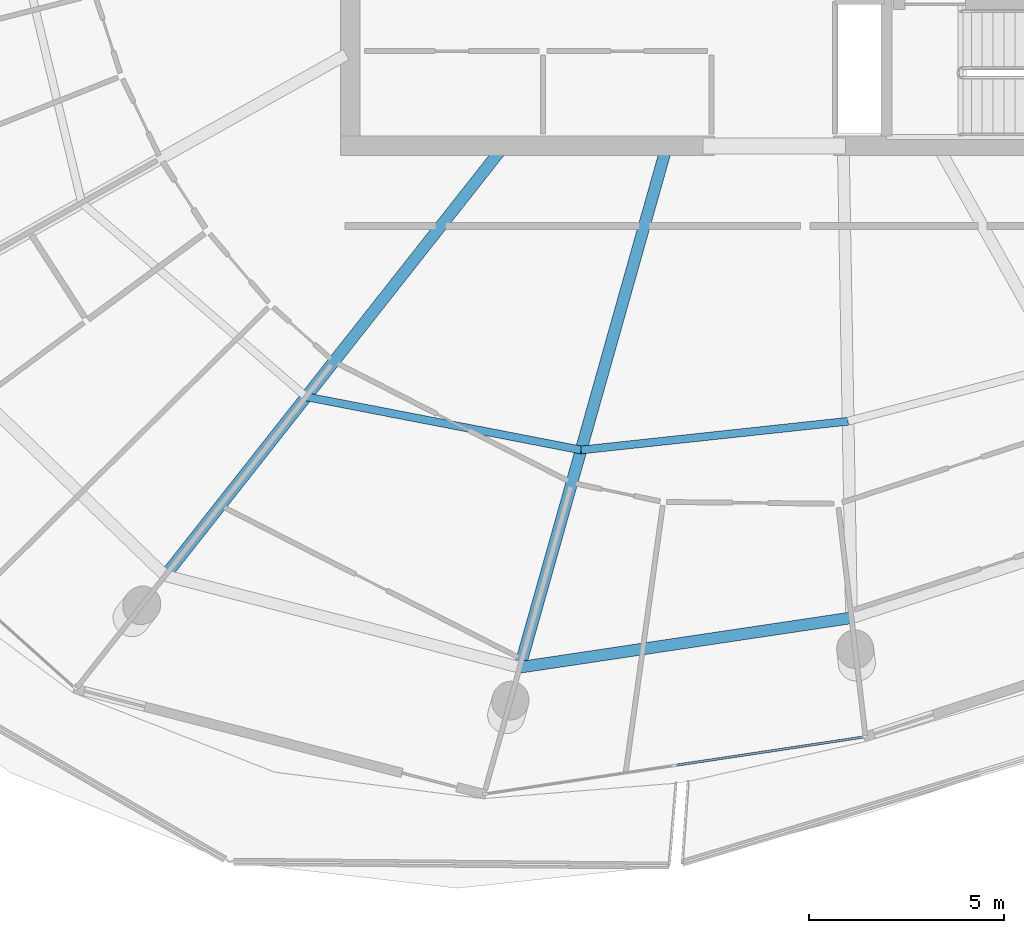
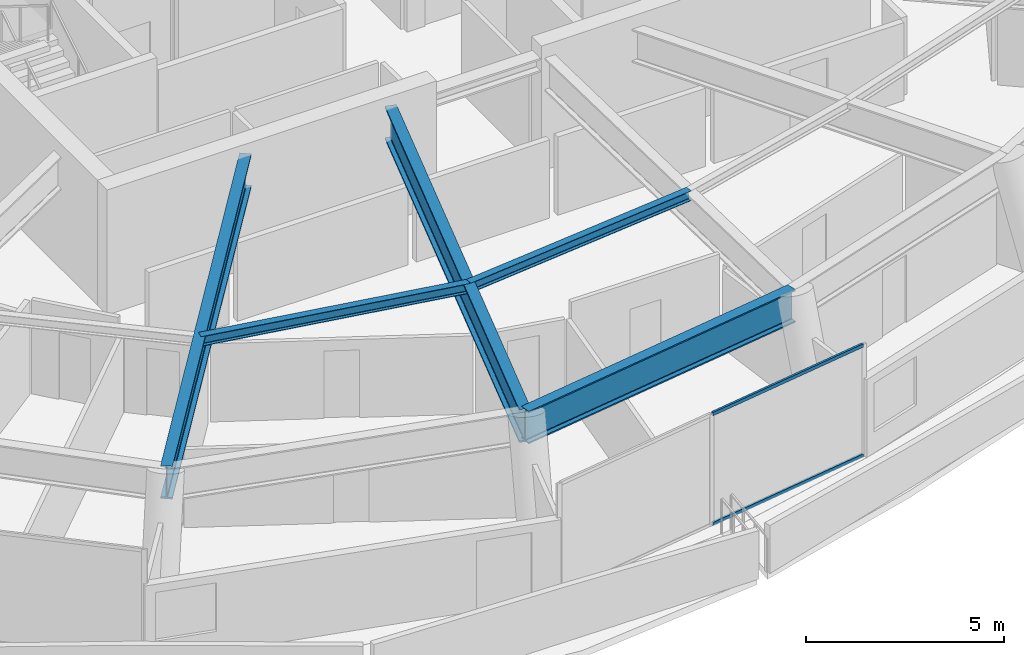
# One storey, part 6 of 27: 5 beams, 2 members, 1 element without a shape of its own.
"""IFC4 building model written with IfcOpenShell, lengths in metres."""

from ifc_helpers import new_model, si_unit, direction, frame, origin, origin_2d, place, context, subcontext, project, spatial, rectangle, i_section, extrude, material, layer, layer_set, material_profile, profile_set, type_object, element, aggregate, save


model = new_model("IFC4")

# Units and contexts
model_context = context("Model", 3, precision=1e-05, world=origin(), true_north=direction((0.0, 1.0)))
body_context = subcontext(model_context, "Body", "Model", "MODEL_VIEW")
ifc_project = project(units=[si_unit("LENGTHUNIT", "METRE"), si_unit("AREAUNIT", "SQUARE_METRE"), si_unit("VOLUMEUNIT", "CUBIC_METRE"), si_unit("PLANEANGLEUNIT", "RADIAN"), si_unit("MASSUNIT", "GRAM", prefix="KILO")], contexts=[model_context])

# Site, building, storey
site_placement = place(None, origin())
site = spatial("IfcSite", under=ifc_project, at=site_placement, CompositionType="ELEMENT")
building_placement = place(site_placement, origin())
building = spatial("IfcBuilding", under=site, at=building_placement, Name="Kazma Halo Residences", CompositionType="ELEMENT")
storey_placement = place(building_placement, frame((0.0, 0.0, 306.0)))
storey = spatial("IfcBuildingStorey", under=building, at=storey_placement, Name="L77", CompositionType="ELEMENT", Elevation=306.0)

# Beams
ifc_material_1 = material(Name="Steel S355", Category="steel")
ifc_material_profile_1 = material_profile(ifc_material_1, i_section(OverallWidth=0.202880859375, OverallDepth=0.302978515625, WebThickness=0.007568359375, FlangeThickness=0.01318359375, FilletRadius=0.013916015625, at=origin_2d()), Name="W310x60")
ifc_profile_set_1 = profile_set([ifc_material_profile_1], Name="Steel S355")
beam_type_1 = type_object("IfcBeamType", Name="BM-SEC-W310A", PredefinedType="JOIST", material=ifc_profile_set_1)
beam_1_placement = place(storey_placement, frame((36.42578125, 27.318359375, 3.298583984375), z_axis=(0.981780669147, -0.190017677307, 0.0), x_axis=(0.190017677307, 0.981780669147, 0.0)))
element("IfcBeam", 1, at=beam_1_placement, inside=storey, type_object=beam_type_1, Name="L77 circumferential floor joist 10", PredefinedType="JOIST", context=body_context, shape_type="SweptSolid", body=[
    extrude(i_section(OverallWidth=0.202880859375, OverallDepth=0.302978515625, WebThickness=0.007568359375, FlangeThickness=0.01318359375, FilletRadius=0.013916015625, at=origin_2d()), origin(), (0.0, 0.0, 1.0), 7.1796875),
])
beam_2_placement = place(storey_placement, frame((43.474609375, 25.9541015625, 3.298583984375), z_axis=(0.994262110354, 0.106971285462, 0.0), x_axis=(-0.106971285462, 0.994262110354, 0.0)))
element("IfcBeam", 2, at=beam_2_placement, inside=storey, type_object=beam_type_1, Name="L77 circumferential floor joist 11", PredefinedType="JOIST", context=body_context, shape_type="SweptSolid", body=[
    extrude(i_section(OverallWidth=0.202880859375, OverallDepth=0.302978515625, WebThickness=0.007568359375, FlangeThickness=0.01318359375, FilletRadius=0.013916015625, at=origin_2d()), origin(), (0.0, 0.0, 1.0), 6.8857421875),
])
ifc_material_profile_2 = material_profile(ifc_material_1, i_section(OverallWidth=0.302001953125, OverallDepth=1.01806640625, WebThickness=0.021484375, FlangeThickness=0.049072265625, FilletRadius=0.028076171875, at=origin_2d()), Name="W1000x443")
ifc_profile_set_2 = profile_set([ifc_material_profile_2], Name="Steel S355")
beam_type_2 = type_object("IfcBeamType", Name="BM-TRANS-W1000A", PredefinedType="BEAM", material=ifc_profile_set_2)
beam_3_placement = place(storey_placement, frame((41.41748046875, 33.64990234375, 2.94091796875), z_axis=(-0.619108297189, -0.785305619713, 0.0), x_axis=(0.785305619713, -0.619108297189, 0.0)))
element("IfcBeam", 3, at=beam_3_placement, inside=storey, type_object=beam_type_2, Name="L77 podium radial transfer girder 10", PredefinedType="BEAM", context=body_context, shape_type="SweptSolid", body=[
    extrude(i_section(OverallWidth=0.302001953125, OverallDepth=1.01806640625, WebThickness=0.021484375, FlangeThickness=0.049072265625, FilletRadius=0.028076171875, at=origin_2d()), origin(), (0.0, 0.0, 1.0), 13.90087890625),
])
beam_4_placement = place(storey_placement, frame((45.64501953125, 33.64990234375, 2.94091796875), z_axis=(-0.271440396256, -0.962455251573, 0.0), x_axis=(0.962455251573, -0.271440396256, 0.0)))
element("IfcBeam", 4, at=beam_4_placement, inside=storey, type_object=beam_type_2, Name="L77 podium radial transfer girder 11", PredefinedType="BEAM", context=body_context, shape_type="SweptSolid", body=[
    extrude(i_section(OverallWidth=0.302001953125, OverallDepth=1.01806640625, WebThickness=0.021484375, FlangeThickness=0.049072265625, FilletRadius=0.028076171875, at=origin_2d()), origin(), (0.0, 0.0, 1.0), 13.786376953125),
])
ifc_material_profile_3 = material_profile(ifc_material_1, i_section(OverallWidth=0.300048828125, OverallDepth=1.0, WebThickness=0.01904296875, FlangeThickness=0.0400390625, FilletRadius=0.02587890625, at=origin_2d()), Name="W1000x371")
ifc_profile_set_3 = profile_set([ifc_material_profile_3], Name="Steel S355")
beam_type_3 = type_object("IfcBeamType", Name="BM-TRANS-W1000B", PredefinedType="BEAM", material=ifc_profile_set_3)
beam_5_placement = place(storey_placement, frame((41.90283203125, 20.381103515625, 2.949951171875), z_axis=(0.989035457079, 0.147678247014, 0.0), x_axis=(-0.147678247014, 0.989035457079, 0.0)))
element("IfcBeam", 5, at=beam_5_placement, inside=storey, type_object=beam_type_3, Name="L77 perimeter ring beam 11", PredefinedType="BEAM", context=body_context, shape_type="SweptSolid", body=[
    extrude(i_section(OverallWidth=0.300048828125, OverallDepth=1.0, WebThickness=0.01904296875, FlangeThickness=0.0400390625, FilletRadius=0.02587890625, at=origin_2d()), origin(), (0.0, 0.0, 1.0), 8.599853515625),
])

# Curtain wall, members
ifc_material_2 = material(Name="Aluminium AW-6063 T6 and Triple-Silver Low-E Glass", Category="aluminium")
ifc_layer = layer(ifc_material_2, 0.139892578125)
ifc_layer_set = layer_set([ifc_layer], Name="Aluminium AW-6063 T6 and Triple-Silver Low-E Glass")
curtain_wall_type = type_object("IfcCurtainWallType", Name="CW-SYS-5", PredefinedType="NOTDEFINED", material=ifc_layer_set)
curtain_wall_placement = place(storey_placement, origin())
curtain_wall = element("IfcCurtainWall", 6, at=curtain_wall_placement, inside=storey, type_object=curtain_wall_type, Name="L77 unitised curtain wall B11", PredefinedType="NOTDEFINED")
ifc_material_3 = material(Name="Aluminium AW-6063 T6", Category="aluminium")
ifc_material_profile_4 = material_profile(ifc_material_3, rectangle(XDim=0.06005859375, YDim=0.10498046875, at=origin_2d()), Name="CWT-60x105")
ifc_profile_set_4 = profile_set([ifc_material_profile_4], Name="Aluminium AW-6063 T6")
member_type = type_object("IfcMemberType", Name="CW-SYS-5-TRN", PredefinedType="USERDEFINED", material=ifc_profile_set_4)
member_1_placement = place(storey_placement, frame((45.907470703125, 17.87060546875, 0.030029296875), z_axis=(0.988874689142, 0.14875096361, 0.0), x_axis=(-0.14875096361, 0.988874689142, 0.0)))
member_1 = element("IfcMember", 7, at=member_1_placement, type_object=member_type, Name="CWS-5 transom 2.1", ObjectType="TRANSOM", PredefinedType="USERDEFINED", context=body_context, shape_type="SweptSolid", body=[
    extrude(rectangle(XDim=0.06005859375, YDim=0.10498046875, at=origin_2d()), origin(), (0.0, 0.0, 1.0), 4.8564453125),
])
member_2_placement = place(storey_placement, frame((45.907470703125, 17.87060546875, 3.419921875), z_axis=(0.988874689142, 0.14875096361, 0.0), x_axis=(-0.14875096361, 0.988874689142, 0.0)))
member_2 = element("IfcMember", 8, at=member_2_placement, type_object=member_type, Name="CWS-5 transom 2.2", ObjectType="TRANSOM", PredefinedType="USERDEFINED", context=body_context, shape_type="SweptSolid", body=[
    extrude(rectangle(XDim=0.06005859375, YDim=0.10498046875, at=origin_2d()), origin(), (0.0, 0.0, 1.0), 4.8564453125),
])
aggregate(curtain_wall, [member_1, member_2])

save(model, "model.ifc")
